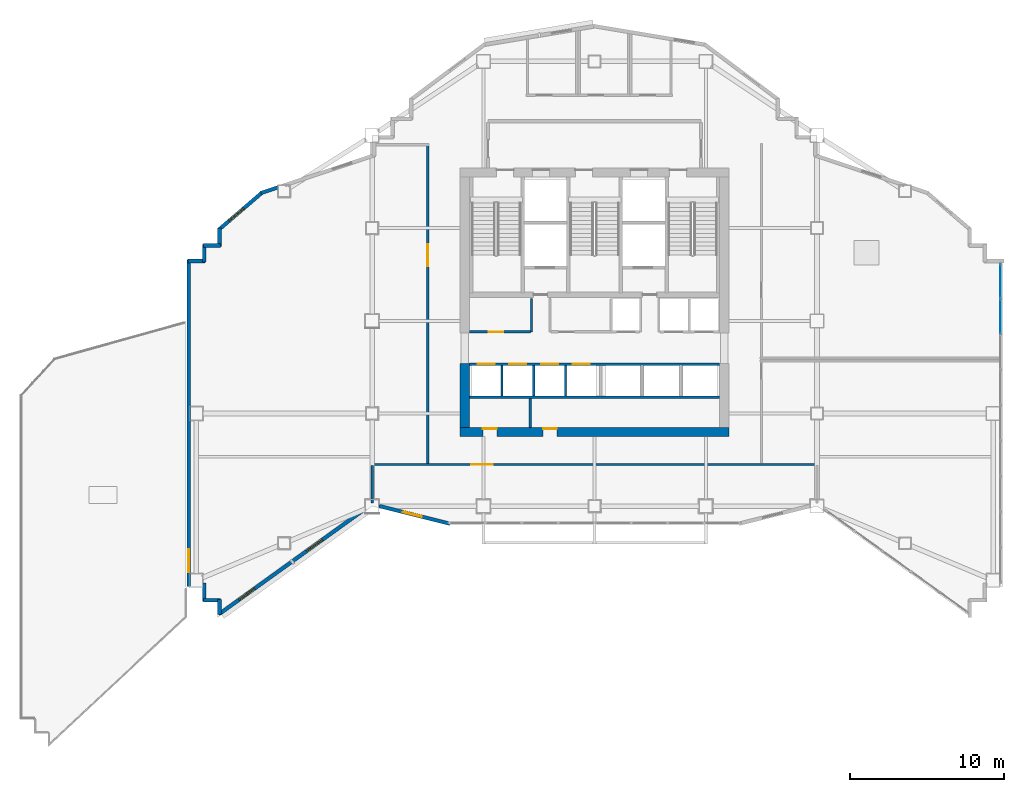
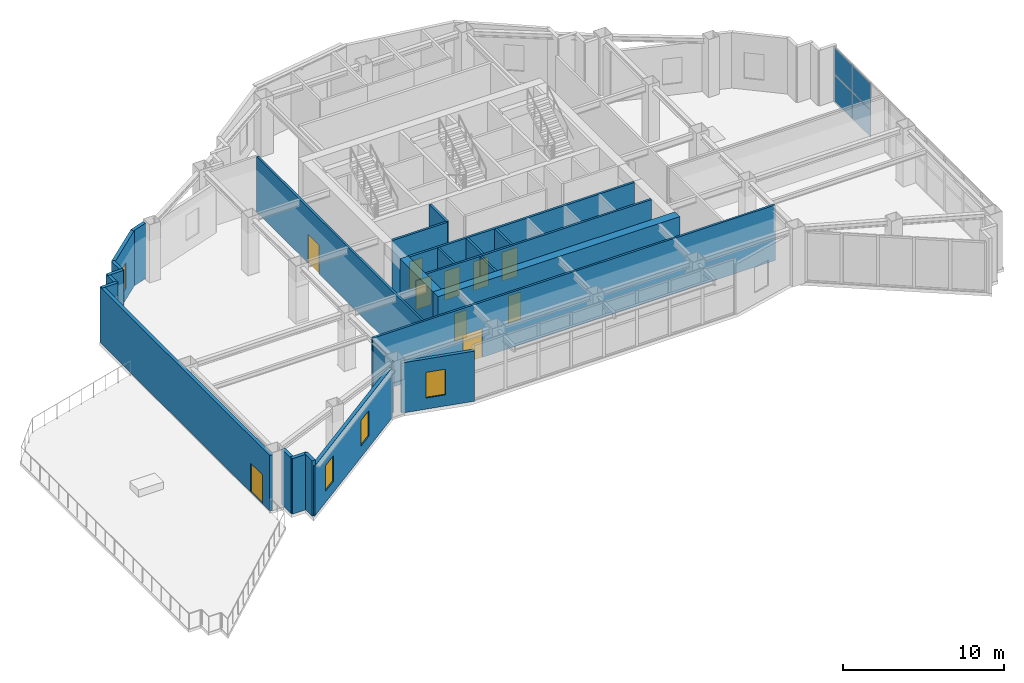
# One storey, part 9 of 16: 25 walls, 10 doors, 4 plates, 4 windows, 14 openings, 1 element without a shape of its own.
"""IFC4 building model written with IfcOpenShell, lengths in metres."""

from ifc_helpers import new_model, si_unit, direction, frame, frame_2d, origin, origin_2d, place, context, subcontext, project, spatial, rectangle, extrude, material, layer, layer_set, type_object, element, fill, aggregate, save


model = new_model("IFC4")

# Units and contexts
model_context = context("Model", 3, precision=1e-05, world=origin(), true_north=direction((0.0, 1.0)))
body_context = subcontext(model_context, "Body", "Model", "MODEL_VIEW")
ifc_project = project(units=[si_unit("LENGTHUNIT", "METRE"), si_unit("AREAUNIT", "SQUARE_METRE"), si_unit("VOLUMEUNIT", "CUBIC_METRE"), si_unit("PLANEANGLEUNIT", "RADIAN"), si_unit("MASSUNIT", "GRAM", prefix="KILO")], contexts=[model_context])

# Site, building, storey
site_placement = place(None, origin())
site = spatial("IfcSite", under=ifc_project, at=site_placement, CompositionType="ELEMENT")
building_placement = place(site_placement, origin())
building = spatial("IfcBuilding", under=site, at=building_placement, Name="Haolan Belvedere Tower", CompositionType="ELEMENT")
storey_placement = place(building_placement, frame((0.0, 0.0, 164.60009765625)))
storey = spatial("IfcBuildingStorey", under=building, at=storey_placement, Name="L41", CompositionType="ELEMENT", Elevation=164.60009765625)

# Curtain wall, plates
ifc_material_1 = material(Name="Anodised champagne-silver aluminium 6063-T6 and Low-E glass", Category="aluminium")
ifc_layer_1 = layer(ifc_material_1, 0.195068359375, Name="Anodised champagne-silver aluminium 6063-T6 and Low-E glass")
ifc_layer_set_1 = layer_set([ifc_layer_1], Name="Anodised champagne-silver aluminium 6063-T6 and Low-E glass")
curtain_wall_type = type_object("IfcCurtainWallType", Name="CW-SYS-06", PredefinedType="NOTDEFINED", material=ifc_layer_set_1)
curtain_wall_placement = place(storey_placement, origin())
curtain_wall = element("IfcCurtainWall", 1, at=curtain_wall_placement, inside=storey, type_object=curtain_wall_type, Name="L41 CW-SYS-06 ribbon curtain wall 8.1", PredefinedType="NOTDEFINED")
ifc_material_2 = material(Name="Double silver Low-E laminated insulating glass", Category="glass")
ifc_layer_2 = layer(ifc_material_2, 0.031982421875, Name="Double silver Low-E laminated insulating glass")
ifc_layer_set_2 = layer_set([ifc_layer_2], Name="Double silver Low-E laminated insulating glass")
plate_type = type_object("IfcPlateType", Name="CW-SYS-06-PNL", PredefinedType="CURTAIN_PANEL", material=ifc_layer_set_2)
plate_1_placement = place(storey_placement, frame((64.679931640625, 33.893310546875, 0.06494140625), z_axis=(0.0, 0.0, 1.0), x_axis=(0.0, 1.0, 0.0)))
plate_1 = element("IfcPlate", 2, at=plate_1_placement, type_object=plate_type, Name="CW-06 panel 8.1", PredefinedType="CURTAIN_PANEL", context=body_context, shape_type="SweptSolid", body=[
    extrude(rectangle(XDim=2.227783203125, YDim=0.031982421875, at=origin_2d()), origin(), (0.0, 0.0, 1.0), 2.012451171875),
])
plate_2_placement = place(storey_placement, frame((64.679931640625, 33.893310546875, 2.142578125), z_axis=(0.0, 0.0, 1.0), x_axis=(0.0, 1.0, 0.0)))
plate_2 = element("IfcPlate", 3, at=plate_2_placement, type_object=plate_type, Name="CW-06 panel 8.2", PredefinedType="CURTAIN_PANEL", context=body_context, shape_type="SweptSolid", body=[
    extrude(rectangle(XDim=2.227783203125, YDim=0.031982421875, at=origin_2d()), origin(), (0.0, 0.0, 1.0), 2.012451171875),
])
plate_3_placement = place(storey_placement, frame((64.679931640625, 36.173583984375, 0.06494140625), z_axis=(0.0, 0.0, 1.0), x_axis=(0.0, 1.0, 0.0)))
plate_3 = element("IfcPlate", 4, at=plate_3_placement, type_object=plate_type, Name="CW-06 panel 9.1", PredefinedType="CURTAIN_PANEL", context=body_context, shape_type="SweptSolid", body=[
    extrude(rectangle(XDim=2.19287109375, YDim=0.031982421875, at=origin_2d()), origin(), (0.0, 0.0, 1.0), 2.012451171875),
])
plate_4_placement = place(storey_placement, frame((64.679931640625, 36.173583984375, 2.142578125), z_axis=(0.0, 0.0, 1.0), x_axis=(0.0, 1.0, 0.0)))
plate_4 = element("IfcPlate", 5, at=plate_4_placement, type_object=plate_type, Name="CW-06 panel 9.2", PredefinedType="CURTAIN_PANEL", context=body_context, shape_type="SweptSolid", body=[
    extrude(rectangle(XDim=2.19287109375, YDim=0.031982421875, at=origin_2d()), origin(), (0.0, 0.0, 1.0), 2.012451171875),
])
aggregate(curtain_wall, [plate_1, plate_2, plate_3, plate_4])

# Wall, openings, doors
ifc_material_3 = material(Name="Concrete C60/75", Category="concrete")
ifc_layer_3 = layer(ifc_material_3, 0.60009765625, Name="Concrete C60/75")
ifc_layer_set_3 = layer_set([ifc_layer_3], Name="Concrete C60/75")
wall_type_1 = type_object("IfcWallType", Name="WL-CORE-600", PredefinedType="SHEAR", material=ifc_layer_set_3)
wall_1_placement = place(storey_placement, frame((29.699951171875, 26.39990234375, 0.0), z_axis=(0.0, 0.0, 1.0), x_axis=(1.0, 0.0, 0.0)))
wall_1 = element("IfcWall", 6, at=wall_1_placement, inside=storey, type_object=wall_type_1, Name="L41 central core south shear wall", PredefinedType="SHEAR", context=body_context, shape_type="SweptSolid", body=[
    extrude(rectangle(XDim=17.400146484375, YDim=0.60009765625, at=frame_2d((8.7001953125, 0.0))), origin(), (0.0, 0.0, 1.0), 4.219970703125),
])
opening_1_placement = place(wall_1_placement, frame((2.369873046875, 0.0, 0.0), z_axis=(0.0, 0.0, 1.0), x_axis=(-1.0, 0.0, 0.0)))
opening_1 = element("IfcOpeningElement", 7, at=opening_1_placement, cuts=wall_1, Name="Opening FD-05", PredefinedType="OPENING", context=body_context, shape_type="SweptSolid", body=[
    extrude(rectangle(XDim=0.89990234375, YDim=2.10009765625, at=frame_2d((0.449951171875, 1.050048828125))), frame((0.0, 0.31005859375, 0.0), z_axis=(0.0, -1.0, 0.0), x_axis=(1.0, 0.0, 0.0)), (0.0, 0.0, 1.0), 0.6201171875),
])
opening_2_placement = place(wall_1_placement, frame((6.260009765625, 0.0, 0.0), z_axis=(0.0, 0.0, 1.0), x_axis=(-1.0, 0.0, 0.0)))
opening_2 = element("IfcOpeningElement", 8, at=opening_2_placement, cuts=wall_1, Name="Opening FD-05", PredefinedType="OPENING", context=body_context, shape_type="SweptSolid", body=[
    extrude(rectangle(XDim=0.89990234375, YDim=2.10009765625, at=frame_2d((0.449951171875, 1.050048828125))), frame((0.0, 0.31005859375, 0.0), z_axis=(0.0, -1.0, 0.0), x_axis=(1.0, 0.0, 0.0)), (0.0, 0.0, 1.0), 0.6201171875),
])
ifc_material_4 = material(Name="Galvanised fire-rated steel", Category="steel")
door_type_1 = type_object("IfcDoorType", Name="DR-FD60-900", OperationType="NOTDEFINED", PredefinedType="DOOR", material=ifc_material_4)
door_1_placement = place(opening_1_placement, origin())
door_1 = element("IfcDoor", 9, at=door_1_placement, inside=storey, type_object=door_type_1, Name="L41 door CD-L41-SCV-1", OperationType="SINGLE_SWING_LEFT", OverallHeight=2.10009765625, OverallWidth=0.89990234375, PredefinedType="DOOR", context=body_context, shape_type="SweptSolid", body=[
    extrude(rectangle(XDim=0.89990234375, YDim=2.10009765625, at=frame_2d((0.449951171875, 1.050048828125))), frame((0.0, -0.19482421875, 0.0), z_axis=(0.0, -1.0, 0.0), x_axis=(1.0, 0.0, 0.0)), (0.0, 0.0, 1.0), 0.050048828125),
])
fill(opening_1, door_1)
door_2_placement = place(opening_2_placement, origin())
door_2 = element("IfcDoor", 10, at=door_2_placement, inside=storey, type_object=door_type_1, Name="L41 door CD-L41-SCV-2", OperationType="SINGLE_SWING_RIGHT", OverallHeight=2.10009765625, OverallWidth=0.89990234375, PredefinedType="DOOR", context=body_context, shape_type="SweptSolid", body=[
    extrude(rectangle(XDim=0.89990234375, YDim=2.10009765625, at=frame_2d((0.449951171875, 1.050048828125))), frame((0.0, -0.19482421875, 0.0), z_axis=(0.0, -1.0, 0.0), x_axis=(1.0, 0.0, 0.0)), (0.0, 0.0, 1.0), 0.050048828125),
])
fill(opening_2, door_2)

# Walls
wall_2_placement = place(storey_placement, frame((30.0, 26.699951171875, 0.0), z_axis=(0.0, 0.0, 1.0), x_axis=(0.0, 1.0, 0.0)))
element("IfcWall", 11, at=wall_2_placement, inside=storey, type_object=wall_type_1, Name="L41 central core shear wall WS", PredefinedType="SHEAR", context=body_context, shape_type="SweptSolid", body=[
    extrude(rectangle(XDim=4.150146484375, YDim=0.60009765625, at=frame_2d((2.0751953125, 0.0))), origin(), (0.0, 0.0, 1.0), 4.219970703125),
])
ifc_material_5 = material(Name="Precast concrete C40/50", Category="concrete")
ifc_layer_4 = layer(ifc_material_5, 0.239990234375, Name="Precast concrete C40/50")
ifc_layer_set_4 = layer_set([ifc_layer_4], Name="Precast concrete C40/50")
wall_type_2 = type_object("IfcWallType", Name="WL-EXT-240", PredefinedType="SOLIDWALL", material=ifc_layer_set_4)
wall_3_placement = place(storey_placement, frame((17.907958984375, 42.242919921875, 0.0), z_axis=(0.0, 0.0, 1.0), x_axis=(-0.948662237962, -0.316290939272, 0.0)))
element("IfcWall", 12, at=wall_3_placement, inside=storey, type_object=wall_type_2, Name="L41 pale-metal exterior spandrel wall 29.2", PredefinedType="SOLIDWALL", context=body_context, shape_type="SweptSolid", body=[
    extrude(rectangle(XDim=1.159423828125, YDim=0.239990234375, at=frame_2d((0.57958984375, 0.0))), origin(), (0.0, 0.0, 1.0), 4.219970703125),
])

# Wall, opening, window
wall_4_placement = place(storey_placement, frame((16.902099609375, 41.929443359375, 0.0), z_axis=(0.0, 0.0, 1.0), x_axis=(-0.759275136126, -0.650769750112, 0.0)))
wall_4 = element("IfcWall", 13, at=wall_4_placement, inside=storey, type_object=wall_type_2, Name="L41 pale-metal exterior spandrel wall 30.1", PredefinedType="SOLIDWALL", context=body_context, shape_type="SweptSolid", body=[
    extrude(rectangle(XDim=3.71923828125, YDim=0.239990234375, at=frame_2d((1.859619140625, 0.0))), origin(), (0.0, 0.0, 1.0), 4.219970703125),
])
opening_3_placement = place(wall_4_placement, frame((1.60009765625, 0.0, 0.85009765625)))
opening_3 = element("IfcOpeningElement", 14, at=opening_3_placement, cuts=wall_4, Name="Opening W-04", PredefinedType="OPENING", context=body_context, shape_type="SweptSolid", body=[
    extrude(rectangle(XDim=1.25, YDim=1.949951171875, at=frame_2d((0.625, 0.97509765625))), frame((0.0, 0.1298828125, 0.0), z_axis=(0.0, -1.0, 0.0), x_axis=(1.0, 0.0, 0.0)), (0.0, 0.0, 1.0), 0.260009765625),
])
ifc_material_6 = material(Name="Anodised aluminium 6063-T6 and Low-E glass", Category="aluminium")
window_type = type_object("IfcWindowType", Name="WN-DECO-Z4", PartitioningType="SINGLE_PANEL", PredefinedType="WINDOW", material=ifc_material_6)
window_1_placement = place(opening_3_placement, origin())
window_1 = element("IfcWindow", 15, at=window_1_placement, inside=storey, type_object=window_type, Name="L41 Art Deco chevron window 1", OverallHeight=1.949951171875, OverallWidth=1.25, PartitioningType="SINGLE_PANEL", PredefinedType="WINDOW", context=body_context, shape_type="SweptSolid", body=[
    extrude(rectangle(XDim=1.25, YDim=1.949951171875, at=frame_2d((0.625, 0.97509765625))), frame((0.0, 0.030029296875, 0.0), z_axis=(0.0, -1.0, 0.0), x_axis=(1.0, 0.0, 0.0)), (0.0, 0.0, 1.0), 0.06005859375),
])
fill(opening_3, window_1)

# Walls
wall_5_placement = place(storey_placement, frame((14.1201171875, 39.599853515625, 0.0), z_axis=(0.0, 0.0, 1.0), x_axis=(0.0, -1.0, 0.0)))
element("IfcWall", 16, at=wall_5_placement, inside=storey, type_object=wall_type_2, Name="L41 pale-metal exterior spandrel wall 31.1", PredefinedType="SOLIDWALL", context=body_context, shape_type="SweptSolid", body=[
    extrude(rectangle(XDim=1.1748046875, YDim=0.239990234375, at=frame_2d((0.58740234375, 0.0))), origin(), (0.0, 0.0, 1.0), 4.219970703125),
])
wall_6_placement = place(storey_placement, frame((14.175048828125, 38.47998046875, 0.0), z_axis=(0.0, 0.0, 1.0), x_axis=(-1.0, 0.0, 0.0)))
element("IfcWall", 17, at=wall_6_placement, inside=storey, type_object=wall_type_2, Name="L41 pale-metal exterior spandrel wall 32.1", PredefinedType="SOLIDWALL", context=body_context, shape_type="SweptSolid", body=[
    extrude(rectangle(XDim=1.110107421875, YDim=0.239990234375, at=frame_2d((0.55517578125, 0.0))), origin(), (0.0, 0.0, 1.0), 4.219970703125),
])
wall_7_placement = place(storey_placement, frame((13.1201171875, 38.534912109375, 0.0), z_axis=(0.0, 0.0, 1.0), x_axis=(0.0, -1.0, 0.0)))
element("IfcWall", 18, at=wall_7_placement, inside=storey, type_object=wall_type_2, Name="L41 pale-metal exterior spandrel wall 33.1", PredefinedType="SOLIDWALL", context=body_context, shape_type="SweptSolid", body=[
    extrude(rectangle(XDim=1.10986328125, YDim=0.239990234375, at=frame_2d((0.554931640625, 0.0))), origin(), (0.0, 0.0, 1.0), 4.219970703125),
])
wall_8_placement = place(storey_placement, frame((13.175048828125, 37.47998046875, 0.0), z_axis=(0.0, 0.0, 1.0), x_axis=(-1.0, 0.0, 0.0)))
element("IfcWall", 19, at=wall_8_placement, inside=storey, type_object=wall_type_2, Name="L41 pale-metal exterior spandrel wall 34.1", PredefinedType="SOLIDWALL", context=body_context, shape_type="SweptSolid", body=[
    extrude(rectangle(XDim=1.110107421875, YDim=0.239990234375, at=frame_2d((0.55517578125, 0.0))), origin(), (0.0, 0.0, 1.0), 4.219970703125),
])

# Wall, opening, door
wall_9_placement = place(storey_placement, frame((12.1201171875, 37.534912109375, 0.0), z_axis=(0.0, 0.0, 1.0), x_axis=(0.0, -1.0, 0.0)))
wall_9 = element("IfcWall", 20, at=wall_9_placement, inside=storey, type_object=wall_type_2, Name="L41 pale-metal exterior spandrel wall 35.1", PredefinedType="SOLIDWALL", context=body_context, shape_type="SweptSolid", body=[
    extrude(rectangle(XDim=21.135009765625, YDim=0.239990234375, at=frame_2d((10.5673828125, 0.0))), origin(), (0.0, 0.0, 1.0), 4.219970703125),
])
opening_4_placement = place(wall_9_placement, frame((20.217041015625, 0.0, 0.0), z_axis=(0.0, 0.0, 1.0), x_axis=(-1.0, 0.0, 0.0)))
opening_4 = element("IfcOpeningElement", 21, at=opening_4_placement, cuts=wall_9, Name="Opening TD-01", PredefinedType="OPENING", context=body_context, shape_type="SweptSolid", body=[
    extrude(rectangle(XDim=1.5, YDim=2.199951171875, at=frame_2d((0.75, 1.10009765625))), frame((0.0, 0.1298828125, 0.0), z_axis=(0.0, -1.0, 0.0), x_axis=(1.0, 0.0, 0.0)), (0.0, 0.0, 1.0), 0.260009765625),
])
ifc_material_7 = material(Name="Thermally broken pale-metal aluminium and Low-E glass", Category="aluminium")
door_type_2 = type_object("IfcDoorType", Name="DR-TER-1500", OperationType="DOUBLE_DOOR_SINGLE_SWING", PredefinedType="DOOR", material=ifc_material_7)
door_3_placement = place(opening_4_placement, origin())
door_3 = element("IfcDoor", 22, at=door_3_placement, inside=storey, type_object=door_type_2, Name="L41 garden terrace access door 1", OperationType="DOUBLE_DOOR_SINGLE_SWING", OverallHeight=2.199951171875, OverallWidth=1.5, PredefinedType="DOOR", context=body_context, shape_type="SweptSolid", body=[
    extrude(rectangle(XDim=1.5, YDim=2.199951171875, at=frame_2d((0.75, 1.10009765625))), frame((0.0, 0.02490234375, 0.0), z_axis=(0.0, -1.0, 0.0), x_axis=(1.0, 0.0, 0.0)), (0.0, 0.0, 1.0), 0.050048828125),
])
fill(opening_4, door_3)

# Walls
wall_10_placement = place(storey_placement, frame((13.1201171875, 16.639892578125, 0.0), z_axis=(0.0, 0.0, 1.0), x_axis=(0.0, -1.0, 0.0)))
element("IfcWall", 23, at=wall_10_placement, inside=storey, type_object=wall_type_2, Name="L41 pale-metal exterior spandrel wall 37.1", PredefinedType="SOLIDWALL", context=body_context, shape_type="SweptSolid", body=[
    extrude(rectangle(XDim=1.1748046875, YDim=0.239990234375, at=frame_2d((0.58740234375, 0.0))), origin(), (0.0, 0.0, 1.0), 4.219970703125),
])
wall_11_placement = place(storey_placement, frame((13.06494140625, 15.52001953125, 0.0), z_axis=(0.0, 0.0, 1.0), x_axis=(1.0, 0.0, 0.0)))
element("IfcWall", 24, at=wall_11_placement, inside=storey, type_object=wall_type_2, Name="L41 pale-metal exterior spandrel wall 38.1", PredefinedType="SOLIDWALL", context=body_context, shape_type="SweptSolid", body=[
    extrude(rectangle(XDim=1.110107421875, YDim=0.239990234375, at=frame_2d((0.55517578125, 0.0))), origin(), (0.0, 0.0, 1.0), 4.219970703125),
])
wall_12_placement = place(storey_placement, frame((14.1201171875, 15.574951171875, 0.0), z_axis=(0.0, 0.0, 1.0), x_axis=(0.0, -1.0, 0.0)))
element("IfcWall", 25, at=wall_12_placement, inside=storey, type_object=wall_type_2, Name="L41 pale-metal exterior spandrel wall 39.1", PredefinedType="SOLIDWALL", context=body_context, shape_type="SweptSolid", body=[
    extrude(rectangle(XDim=0.99560546875, YDim=0.239990234375, at=frame_2d((0.497802734375, 0.0))), origin(), (0.0, 0.0, 1.0), 4.219970703125),
])

# Wall, openings, windows
wall_13_placement = place(storey_placement, frame((14.075439453125, 14.602294921875, 0.0), z_axis=(0.0, 0.0, 1.0), x_axis=(0.811539493337, 0.584297570381, 0.0)))
wall_13 = element("IfcWall", 26, at=wall_13_placement, inside=storey, type_object=wall_type_2, Name="L41 pale-metal exterior spandrel wall 40.1", PredefinedType="SOLIDWALL", context=body_context, shape_type="SweptSolid", body=[
    extrude(rectangle(XDim=11.684814453125, YDim=0.239990234375, at=frame_2d((5.84228515625, 0.0))), origin(), (0.0, 0.0, 1.0), 3.81494140625),
])
opening_5_placement = place(wall_13_placement, frame((1.60009765625, 0.0, 0.85009765625)))
opening_5 = element("IfcOpeningElement", 27, at=opening_5_placement, cuts=wall_13, Name="Opening W-04", PredefinedType="OPENING", context=body_context, shape_type="SweptSolid", body=[
    extrude(rectangle(XDim=1.25, YDim=1.949951171875, at=frame_2d((0.625, 0.97509765625))), frame((0.0, 0.1298828125, 0.0), z_axis=(0.0, -1.0, 0.0), x_axis=(1.0, 0.0, 0.0)), (0.0, 0.0, 1.0), 0.260009765625),
])
opening_6_placement = place(wall_13_placement, frame((7.0, 0.0, 0.85009765625)))
opening_6 = element("IfcOpeningElement", 28, at=opening_6_placement, cuts=wall_13, Name="Opening W-04", PredefinedType="OPENING", context=body_context, shape_type="SweptSolid", body=[
    extrude(rectangle(XDim=1.25, YDim=1.949951171875, at=frame_2d((0.625, 0.97509765625))), frame((0.0, 0.1298828125, 0.0), z_axis=(0.0, -1.0, 0.0), x_axis=(1.0, 0.0, 0.0)), (0.0, 0.0, 1.0), 0.260009765625),
])
window_2_placement = place(opening_5_placement, origin())
window_2 = element("IfcWindow", 29, at=window_2_placement, inside=storey, type_object=window_type, Name="L41 Art Deco chevron window 1", OverallHeight=1.949951171875, OverallWidth=1.25, PartitioningType="SINGLE_PANEL", PredefinedType="WINDOW", context=body_context, shape_type="SweptSolid", body=[
    extrude(rectangle(XDim=1.25, YDim=1.949951171875, at=frame_2d((0.625, 0.97509765625))), frame((0.0, 0.030029296875, 0.0), z_axis=(0.0, -1.0, 0.0), x_axis=(1.0, 0.0, 0.0)), (0.0, 0.0, 1.0), 0.06005859375),
])
fill(opening_5, window_2)
window_3_placement = place(opening_6_placement, origin())
window_3 = element("IfcWindow", 30, at=window_3_placement, inside=storey, type_object=window_type, Name="L41 Art Deco chevron window 2", OverallHeight=1.949951171875, OverallWidth=1.25, PartitioningType="SINGLE_PANEL", PredefinedType="WINDOW", context=body_context, shape_type="SweptSolid", body=[
    extrude(rectangle(XDim=1.25, YDim=1.949951171875, at=frame_2d((0.625, 0.97509765625))), frame((0.0, 0.030029296875, 0.0), z_axis=(0.0, -1.0, 0.0), x_axis=(1.0, 0.0, 0.0)), (0.0, 0.0, 1.0), 0.06005859375),
])
fill(opening_6, window_3)

# Wall, opening, window
wall_14_placement = place(storey_placement, frame((24.44189453125, 21.61328125, 0.0), z_axis=(0.0, 0.0, 1.0), x_axis=(0.970136430837, -0.242559900978, 0.0)))
wall_14 = element("IfcWall", 31, at=wall_14_placement, inside=storey, type_object=wall_type_2, Name="L41 pale-metal exterior spandrel wall 41.1", PredefinedType="SOLIDWALL", context=body_context, shape_type="SweptSolid", body=[
    extrude(rectangle(XDim=4.732666015625, YDim=0.239990234375, at=frame_2d((2.3662109375, 0.0))), origin(), (0.0, 0.0, 1.0), 3.81494140625),
])
opening_7_placement = place(wall_14_placement, frame((1.60009765625, 0.0, 0.85009765625)))
opening_7 = element("IfcOpeningElement", 32, at=opening_7_placement, cuts=wall_14, Name="Opening W-04", PredefinedType="OPENING", context=body_context, shape_type="SweptSolid", body=[
    extrude(rectangle(XDim=1.25, YDim=1.949951171875, at=frame_2d((0.625, 0.97509765625))), frame((0.0, 0.1298828125, 0.0), z_axis=(0.0, -1.0, 0.0), x_axis=(1.0, 0.0, 0.0)), (0.0, 0.0, 1.0), 0.260009765625),
])
window_4_placement = place(opening_7_placement, origin())
window_4 = element("IfcWindow", 33, at=window_4_placement, inside=storey, type_object=window_type, Name="L41 Art Deco chevron window 1", OverallHeight=1.949951171875, OverallWidth=1.25, PartitioningType="SINGLE_PANEL", PredefinedType="WINDOW", context=body_context, shape_type="SweptSolid", body=[
    extrude(rectangle(XDim=1.25, YDim=1.949951171875, at=frame_2d((0.625, 0.97509765625))), frame((0.0, 0.030029296875, 0.0), z_axis=(0.0, -1.0, 0.0), x_axis=(1.0, 0.0, 0.0)), (0.0, 0.0, 1.0), 0.06005859375),
])
fill(opening_7, window_4)

# Walls
ifc_material_8 = material(Name="Double gypsum acoustic stud partition", Category="masonry")
ifc_layer_5 = layer(ifc_material_8, 0.14990234375, Name="Double gypsum acoustic stud partition")
ifc_layer_set_5 = layer_set([ifc_layer_5], Name="Double gypsum acoustic stud partition")
wall_type_3 = type_object("IfcWallType", Name="WL-PART-150", PredefinedType="PARTITIONING", material=ifc_layer_set_5)
wall_15_placement = place(storey_placement, frame((30.300048828125, 28.659912109375, 0.0), z_axis=(0.0, 0.0, 1.0), x_axis=(1.0, 0.0, 0.0)))
element("IfcWall", 34, at=wall_15_placement, inside=storey, type_object=wall_type_3, Name="L41 interior partition IW-L41-SSTRIP-N", PredefinedType="PARTITIONING", context=body_context, shape_type="SweptSolid", body=[
    extrude(rectangle(XDim=16.199951171875, YDim=0.14990234375, at=frame_2d((8.10009765625, 0.0))), origin(), (0.0, 0.0, 1.0), 4.219970703125),
])
wall_16_placement = place(storey_placement, frame((34.22998046875, 26.7099609375, 0.0), z_axis=(0.0, 0.0, 1.0), x_axis=(0.0, 1.0, 0.0)))
element("IfcWall", 35, at=wall_16_placement, inside=storey, type_object=wall_type_3, Name="L41 interior partition IW-L41-SCV-DIV-1", PredefinedType="PARTITIONING", context=body_context, shape_type="SweptSolid", body=[
    extrude(rectangle(XDim=1.8701171875, YDim=0.14990234375, at=frame_2d((0.93505859375, 0.0))), origin(), (0.0, 0.0, 1.0), 4.219970703125),
])

# Wall, opening, door
wall_17_placement = place(storey_placement, frame((23.919921875, 24.300048828125, 0.0), z_axis=(0.0, 0.0, 1.0), x_axis=(1.0, 0.0, 0.0)))
wall_17 = element("IfcWall", 36, at=wall_17_placement, inside=storey, type_object=wall_type_3, Name="L41 interior partition IW-L41-SKYL-N", PredefinedType="PARTITIONING", context=body_context, shape_type="SweptSolid", body=[
    extrude(rectangle(XDim=28.9599609375, YDim=0.14990234375, at=frame_2d((14.47998046875, 0.0))), origin(), (0.0, 0.0, 1.0), 4.219970703125),
])
opening_8_placement = place(wall_17_placement, frame((7.89990234375, 0.0, 0.0), z_axis=(0.0, 0.0, 1.0), x_axis=(-1.0, 0.0, 0.0)))
opening_8 = element("IfcOpeningElement", 37, at=opening_8_placement, cuts=wall_17, Name="Opening ID-07", PredefinedType="OPENING", context=body_context, shape_type="SweptSolid", body=[
    extrude(rectangle(XDim=1.39990234375, YDim=2.179931640625, at=frame_2d((0.699951171875, 1.08984375))), frame((0.0, 0.0849609375, 0.0), z_axis=(0.0, -1.0, 0.0), x_axis=(1.0, 0.0, 0.0)), (0.0, 0.0, 1.0), 0.169921875),
])
ifc_material_9 = material(Name="Anodised champagne aluminium and acoustic glass", Category="aluminium")
door_type_3 = type_object("IfcDoorType", Name="DR-DBL-1400", OperationType="DOUBLE_DOOR_SINGLE_SWING", PredefinedType="DOOR", material=ifc_material_9)
door_4_placement = place(opening_8_placement, origin())
door_4 = element("IfcDoor", 38, at=door_4_placement, inside=storey, type_object=door_type_3, Name="L41 door ID-L41-SKYL", OperationType="DOUBLE_DOOR_SINGLE_SWING", OverallHeight=2.179931640625, OverallWidth=1.39990234375, PredefinedType="DOOR", context=body_context, shape_type="SweptSolid", body=[
    extrude(rectangle(XDim=1.39990234375, YDim=2.179931640625, at=frame_2d((0.699951171875, 1.08984375))), frame((0.0, 0.02490234375, 0.0), z_axis=(0.0, -1.0, 0.0), x_axis=(1.0, 0.0, 0.0)), (0.0, 0.0, 1.0), 0.050048828125),
])
fill(opening_8, door_4)

# Wall
wall_18_placement = place(storey_placement, frame((24.0, 21.818603515625, 0.0), z_axis=(0.0, 0.0, 1.0), x_axis=(0.0, 1.0, 0.0)))
element("IfcWall", 39, at=wall_18_placement, inside=storey, type_object=wall_type_3, Name="L41 interior partition IW-L41-SKYL-W", PredefinedType="PARTITIONING", context=body_context, shape_type="SweptSolid", body=[
    extrude(rectangle(XDim=2.42138671875, YDim=0.14990234375, at=frame_2d((1.210693359375, 0.0))), origin(), (0.0, 0.0, 1.0), 3.81494140625),
])

# Wall, opening, door
wall_19_placement = place(storey_placement, frame((27.60009765625, 24.360107421875, 0.0), z_axis=(0.0, 0.0, 1.0), x_axis=(0.0, 1.0, 0.0)))
wall_19 = element("IfcWall", 40, at=wall_19_placement, inside=storey, type_object=wall_type_3, Name="L41 interior partition IW-L41-WLNG-E", PredefinedType="PARTITIONING", context=body_context, shape_type="SweptSolid", body=[
    extrude(rectangle(XDim=20.579833984375, YDim=0.14990234375, at=frame_2d((10.2900390625, 0.0))), origin(), (0.0, 0.0, 1.0), 4.219970703125),
])
opening_9_placement = place(wall_19_placement, frame((14.1884765625, 0.0, 0.0), z_axis=(0.0, 0.0, 1.0), x_axis=(-1.0, 0.0, 0.0)))
opening_9 = element("IfcOpeningElement", 41, at=opening_9_placement, cuts=wall_19, Name="Opening ID-07", PredefinedType="OPENING", context=body_context, shape_type="SweptSolid", body=[
    extrude(rectangle(XDim=1.39990234375, YDim=2.179931640625, at=frame_2d((0.699951171875, 1.08984375))), frame((0.0, 0.0849609375, 0.0), z_axis=(0.0, -1.0, 0.0), x_axis=(1.0, 0.0, 0.0)), (0.0, 0.0, 1.0), 0.169921875),
])
door_5_placement = place(opening_9_placement, origin())
door_5 = element("IfcDoor", 42, at=door_5_placement, inside=storey, type_object=door_type_3, Name="L41 door ID-L41-WLNG", OperationType="DOUBLE_DOOR_SINGLE_SWING", OverallHeight=2.179931640625, OverallWidth=1.39990234375, PredefinedType="DOOR", context=body_context, shape_type="SweptSolid", body=[
    extrude(rectangle(XDim=1.39990234375, YDim=2.179931640625, at=frame_2d((0.699951171875, 1.08984375))), frame((0.0, 0.02490234375, 0.0), z_axis=(0.0, -1.0, 0.0), x_axis=(1.0, 0.0, 0.0)), (0.0, 0.0, 1.0), 0.050048828125),
])
fill(opening_9, door_5)

# Wall
ifc_material_10 = material(Name="Gypsum fire shaftwall assembly", Category="masonry")
ifc_layer_6 = layer(ifc_material_10, 0.1650390625, Name="Gypsum fire shaftwall assembly")
ifc_layer_set_6 = layer_set([ifc_layer_6], Name="Gypsum fire shaftwall assembly")
wall_type_4 = type_object("IfcWallType", Name="WL-SHAFT-160", PredefinedType="SOLIDWALL", material=ifc_layer_set_6)
wall_20_placement = place(storey_placement, frame((34.31005859375, 32.8798828125, 0.0), z_axis=(0.0, 0.0, 1.0), x_axis=(0.0, 1.0, 0.0)))
element("IfcWall", 43, at=wall_20_placement, inside=storey, type_object=wall_type_4, Name="L41 interior partition IW-L41-SVP-W-SV1", PredefinedType="SOLIDWALL", context=body_context, shape_type="SweptSolid", body=[
    extrude(rectangle(XDim=2.170166015625, YDim=0.14990234375, at=frame_2d((1.0849609375, 0.0))), origin(), (0.0, 0.0, 1.0), 4.219970703125),
])

# Wall, opening, door
wall_21_placement = place(storey_placement, frame((30.300048828125, 32.8798828125, 0.0), z_axis=(0.0, 0.0, 1.0), x_axis=(1.0, 0.0, 0.0)))
wall_21 = element("IfcWall", 44, at=wall_21_placement, inside=storey, type_object=wall_type_4, Name="L41 interior partition IW-L41-ROW-PN1", PredefinedType="SOLIDWALL", context=body_context, shape_type="SweptSolid", body=[
    extrude(rectangle(XDim=3.949951171875, YDim=0.159912109375, at=frame_2d((1.97509765625, 0.0))), origin(), (0.0, 0.0, 1.0), 4.219970703125),
])
opening_10_placement = place(wall_21_placement, frame((2.199951171875, 0.0, 0.0), z_axis=(0.0, 0.0, 1.0), x_axis=(-1.0, 0.0, 0.0)))
opening_10 = element("IfcOpeningElement", 45, at=opening_10_placement, cuts=wall_21, Name="Opening ID-03", PredefinedType="OPENING", context=body_context, shape_type="SweptSolid", body=[
    extrude(rectangle(XDim=0.949951171875, YDim=2.1201171875, at=frame_2d((0.47509765625, 1.06005859375))), frame((0.0, 0.08984375, 0.0), z_axis=(0.0, -1.0, 0.0), x_axis=(1.0, 0.0, 0.0)), (0.0, 0.0, 1.0), 0.179931640625),
])
ifc_material_11 = material(Name="Painted solid-core timber", Category="wood")
door_type_4 = type_object("IfcDoorType", Name="DR-INT-950", OperationType="NOTDEFINED", PredefinedType="DOOR", material=ifc_material_11)
door_6_placement = place(opening_10_placement, origin())
door_6 = element("IfcDoor", 46, at=door_6_placement, inside=storey, type_object=door_type_4, Name="L41 door ID-L41-CD-RPLW", OperationType="SINGLE_SWING_LEFT", OverallHeight=2.1201171875, OverallWidth=0.949951171875, PredefinedType="DOOR", context=body_context, shape_type="SweptSolid", body=[
    extrude(rectangle(XDim=0.949951171875, YDim=2.1201171875, at=frame_2d((0.47509765625, 1.06005859375))), frame((0.0, 0.02490234375, 0.0), z_axis=(0.0, -1.0, 0.0), x_axis=(1.0, 0.0, 0.0)), (0.0, 0.0, 1.0), 0.050048828125),
])
fill(opening_10, door_6)

# Wall, openings, doors
wall_22_placement = place(storey_placement, frame((30.300048828125, 30.800048828125, 0.0), z_axis=(0.0, 0.0, 1.0), x_axis=(1.0, 0.0, 0.0)))
wall_22 = element("IfcWall", 47, at=wall_22_placement, inside=storey, type_object=wall_type_4, Name="L41 interior partition IW-L41-ROW-PS", PredefinedType="SOLIDWALL", context=body_context, shape_type="SweptSolid", body=[
    extrude(rectangle(XDim=16.199951171875, YDim=0.159912109375, at=frame_2d((8.10009765625, 0.0))), origin(), (0.0, 0.0, 1.0), 4.219970703125),
])
opening_11_placement = place(wall_22_placement, frame((0.52001953125, 0.0, 0.0)))
opening_11 = element("IfcOpeningElement", 48, at=opening_11_placement, cuts=wall_22, Name="Opening LD-01", PredefinedType="OPENING", context=body_context, shape_type="SweptSolid", body=[
    extrude(rectangle(XDim=1.10009765625, YDim=2.199951171875, at=frame_2d((0.550048828125, 1.10009765625))), frame((0.0, 0.08984375, 0.0), z_axis=(0.0, -1.0, 0.0), x_axis=(1.0, 0.0, 0.0)), (0.0, 0.0, 1.0), 0.179931640625),
])
opening_12_placement = place(wall_22_placement, frame((2.580078125, 0.0, 0.0)))
opening_12 = element("IfcOpeningElement", 49, at=opening_12_placement, cuts=wall_22, Name="Opening LD-01", PredefinedType="OPENING", context=body_context, shape_type="SweptSolid", body=[
    extrude(rectangle(XDim=1.10009765625, YDim=2.199951171875, at=frame_2d((0.550048828125, 1.10009765625))), frame((0.0, 0.08984375, 0.0), z_axis=(0.0, -1.0, 0.0), x_axis=(1.0, 0.0, 0.0)), (0.0, 0.0, 1.0), 0.179931640625),
])
opening_13_placement = place(wall_22_placement, frame((4.639892578125, 0.0, 0.0)))
opening_13 = element("IfcOpeningElement", 50, at=opening_13_placement, cuts=wall_22, Name="Opening LD-01", PredefinedType="OPENING", context=body_context, shape_type="SweptSolid", body=[
    extrude(rectangle(XDim=1.10009765625, YDim=2.199951171875, at=frame_2d((0.550048828125, 1.10009765625))), frame((0.0, 0.08984375, 0.0), z_axis=(0.0, -1.0, 0.0), x_axis=(1.0, 0.0, 0.0)), (0.0, 0.0, 1.0), 0.179931640625),
])
opening_14_placement = place(wall_22_placement, frame((6.699951171875, 0.0, 0.0)))
opening_14 = element("IfcOpeningElement", 51, at=opening_14_placement, cuts=wall_22, Name="Opening LD-01", PredefinedType="OPENING", context=body_context, shape_type="SweptSolid", body=[
    extrude(rectangle(XDim=1.10009765625, YDim=2.199951171875, at=frame_2d((0.550048828125, 1.10009765625))), frame((0.0, 0.08984375, 0.0), z_axis=(0.0, -1.0, 0.0), x_axis=(1.0, 0.0, 0.0)), (0.0, 0.0, 1.0), 0.179931640625),
])
ifc_material_12 = material(Name="Brushed champagne stainless steel 316L", Category="steel")
door_type_5 = type_object("IfcDoorType", Name="DR-LIFT-1100", OperationType="SLIDING_TO_LEFT", PredefinedType="DOOR", material=ifc_material_12)
door_7_placement = place(opening_11_placement, origin())
door_7 = element("IfcDoor", 52, at=door_7_placement, inside=storey, type_object=door_type_5, Name="L41 door ID-L41-LD-PM1", OperationType="SLIDING_TO_LEFT", OverallHeight=2.199951171875, OverallWidth=1.10009765625, PredefinedType="DOOR", context=body_context, shape_type="SweptSolid", body=[
    extrude(rectangle(XDim=1.10009765625, YDim=2.199951171875, at=frame_2d((0.550048828125, 1.10009765625))), frame((0.0, 0.02490234375, 0.0), z_axis=(0.0, -1.0, 0.0), x_axis=(1.0, 0.0, 0.0)), (0.0, 0.0, 1.0), 0.050048828125),
])
fill(opening_11, door_7)
door_8_placement = place(opening_12_placement, origin())
door_8 = element("IfcDoor", 53, at=door_8_placement, inside=storey, type_object=door_type_5, Name="L41 door ID-L41-LD-PM2", OperationType="SLIDING_TO_LEFT", OverallHeight=2.199951171875, OverallWidth=1.10009765625, PredefinedType="DOOR", context=body_context, shape_type="SweptSolid", body=[
    extrude(rectangle(XDim=1.10009765625, YDim=2.199951171875, at=frame_2d((0.550048828125, 1.10009765625))), frame((0.0, 0.02490234375, 0.0), z_axis=(0.0, -1.0, 0.0), x_axis=(1.0, 0.0, 0.0)), (0.0, 0.0, 1.0), 0.050048828125),
])
fill(opening_12, door_8)
door_9_placement = place(opening_13_placement, origin())
door_9 = element("IfcDoor", 54, at=door_9_placement, inside=storey, type_object=door_type_5, Name="L41 door ID-L41-LD-PM3", OperationType="SLIDING_TO_LEFT", OverallHeight=2.199951171875, OverallWidth=1.10009765625, PredefinedType="DOOR", context=body_context, shape_type="SweptSolid", body=[
    extrude(rectangle(XDim=1.10009765625, YDim=2.199951171875, at=frame_2d((0.550048828125, 1.10009765625))), frame((0.0, 0.02490234375, 0.0), z_axis=(0.0, -1.0, 0.0), x_axis=(1.0, 0.0, 0.0)), (0.0, 0.0, 1.0), 0.050048828125),
])
fill(opening_13, door_9)
door_10_placement = place(opening_14_placement, origin())
door_10 = element("IfcDoor", 55, at=door_10_placement, inside=storey, type_object=door_type_5, Name="L41 door ID-L41-LD-PM4", OperationType="SLIDING_TO_LEFT", OverallHeight=2.199951171875, OverallWidth=1.10009765625, PredefinedType="DOOR", context=body_context, shape_type="SweptSolid", body=[
    extrude(rectangle(XDim=1.10009765625, YDim=2.199951171875, at=frame_2d((0.550048828125, 1.10009765625))), frame((0.0, 0.02490234375, 0.0), z_axis=(0.0, -1.0, 0.0), x_axis=(1.0, 0.0, 0.0)), (0.0, 0.0, 1.0), 0.050048828125),
])
fill(opening_14, door_10)

# Walls
for number, where, z_axis, x_axis, name in (
    (56, (32.39990234375, 28.735107421875, 0.0), (0.0, 0.0, 1.0), (0.0, 1.0, 0.0), "L41 interior partition IW-L41-DIV-PM1"),
    (57, (34.4599609375, 28.735107421875, 0.0), (0.0, 0.0, 1.0), (0.0, 1.0, 0.0), "L41 interior partition IW-L41-DIV-PM2"),
    (58, (36.52001953125, 28.735107421875, 0.0), (0.0, 0.0, 1.0), (0.0, 1.0, 0.0), "L41 interior partition IW-L41-DIV-PM3"),
):
    element("IfcWall", number, at=place(storey_placement, frame(where, z_axis=z_axis, x_axis=x_axis)), inside=storey, type_object=wall_type_4, Name=name, PredefinedType="SOLIDWALL", context=body_context, shape_type="SweptSolid", body=[
        extrude(rectangle(XDim=1.98486328125, YDim=0.14990234375, at=frame_2d((0.992431640625, 0.0))), origin(), (0.0, 0.0, 1.0), 4.219970703125),
    ])

save(model, "model.ifc")
